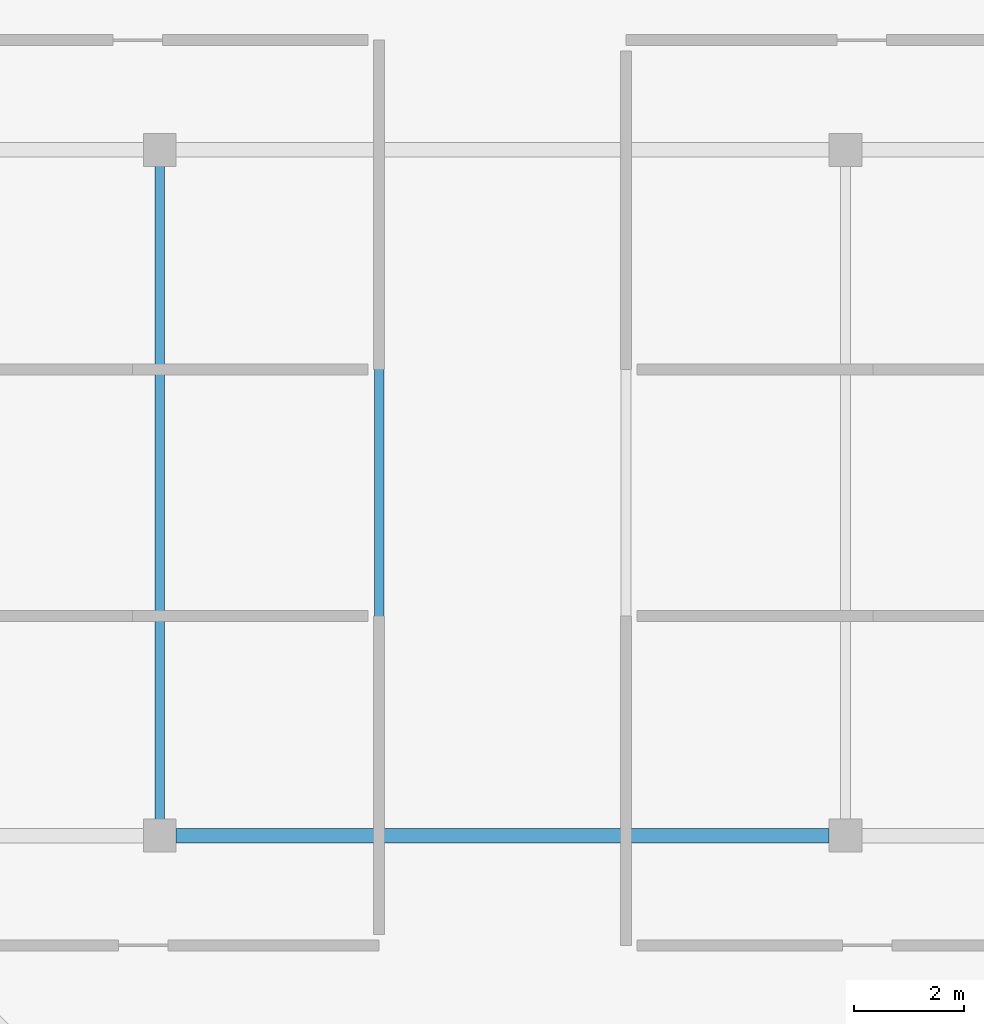
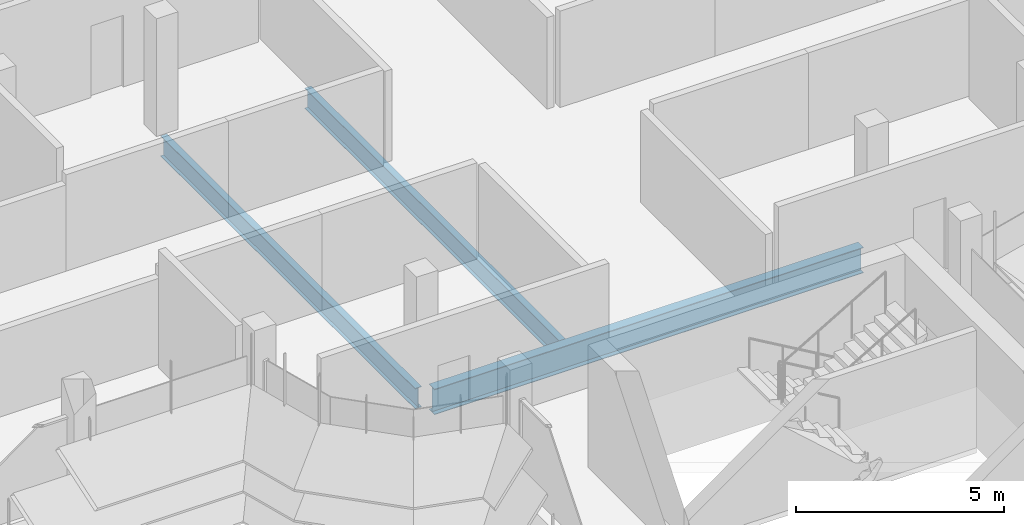
# One storey, part 3 of 20: 3 beams.
"""IFC4 building model written with IfcOpenShell, lengths in metres."""

from ifc_helpers import new_model, si_unit, direction, frame, origin, origin_2d, place, context, subcontext, project, spatial, i_section, extrude, material, material_profile, profile_set, type_object, element, save


model = new_model("IFC4")

# Units and contexts
model_context = context("Model", 3, precision=1e-05, world=origin(), true_north=direction((0.0, 1.0)))
body_context = subcontext(model_context, "Body", "Model", "MODEL_VIEW")
ifc_project = project(units=[si_unit("LENGTHUNIT", "METRE"), si_unit("AREAUNIT", "SQUARE_METRE"), si_unit("VOLUMEUNIT", "CUBIC_METRE"), si_unit("PLANEANGLEUNIT", "RADIAN"), si_unit("MASSUNIT", "GRAM", prefix="KILO")], contexts=[model_context])

# Site, building, storey
site_placement = place(None, origin())
site = spatial("IfcSite", under=ifc_project, at=site_placement, CompositionType="ELEMENT")
building_placement = place(site_placement, origin())
building = spatial("IfcBuilding", under=site, at=building_placement, Name="Zarbagh Exchange Tower", CompositionType="ELEMENT")
storey_placement = place(building_placement, frame((0.0, 0.0, 291.60009765625)))
storey = spatial("IfcBuildingStorey", under=building, at=storey_placement, Name="L71", CompositionType="ELEMENT", Elevation=291.60009765625)

# Beams
ifc_material = material(Name="Steel ASTM A992 Gr 50", Category="steel")
ifc_material_profile_1 = material_profile(ifc_material, i_section(OverallWidth=0.1787109375, OverallDepth=0.60205078125, WebThickness=0.010986328125, FlangeThickness=0.014892578125, at=origin_2d()), Name="W24X62")
ifc_profile_set_1 = profile_set([ifc_material_profile_1], Name="Steel ASTM A992 Gr 50")
beam_type_1 = type_object("IfcBeamType", Name="Floor beam W24X62", PredefinedType="BEAM", material=ifc_profile_set_1)
for number, where, z_axis, x_axis, name in (
    (1, (-6.25, -6.117919921875, -0.451171875), (0.0, 1.0, 0.0), (-1.0, 0.0, 0.0), "Steel floor beam"),
    (2, (-2.25, -6.117919921875, -0.451171875), (0.0, 1.0, 0.0), (-1.0, 0.0, 0.0), "Steel floor beam"),
):
    element("IfcBeam", number, at=place(storey_placement, frame(where, z_axis=z_axis, x_axis=x_axis)), inside=storey, type_object=beam_type_1, Name=name, PredefinedType="BEAM", context=body_context, shape_type="SweptSolid", body=[
        extrude(i_section(OverallWidth=0.1787109375, OverallDepth=0.60205078125, WebThickness=0.010986328125, FlangeThickness=0.014892578125, at=origin_2d()), origin(), (0.0, 0.0, 1.0), 12.23583984375),
    ])
ifc_material_profile_2 = material_profile(ifc_material, i_section(OverallWidth=0.26416015625, OverallDepth=0.749267578125, WebThickness=0.011962890625, FlangeThickness=0.015380859375, at=origin_2d()), Name="W30X90")
ifc_profile_set_2 = profile_set([ifc_material_profile_2], Name="Steel ASTM A992 Gr 50")
beam_type_2 = type_object("IfcBeamType", Name="Floor girder W30X90", PredefinedType="BEAM", material=ifc_profile_set_2)
beam_placement = place(storey_placement, frame((-5.949951171875, -6.25, -0.524658203125), z_axis=(1.0, 0.0, 0.0), x_axis=(0.0, 1.0, 0.0)))
element("IfcBeam", 3, at=beam_placement, inside=storey, type_object=beam_type_2, Name="Steel girder", PredefinedType="BEAM", context=body_context, shape_type="SweptSolid", body=[
    extrude(i_section(OverallWidth=0.26416015625, OverallDepth=0.749267578125, WebThickness=0.011962890625, FlangeThickness=0.015380859375, at=origin_2d()), origin(), (0.0, 0.0, 1.0), 11.89990234375),
])

save(model, "model.ifc")
